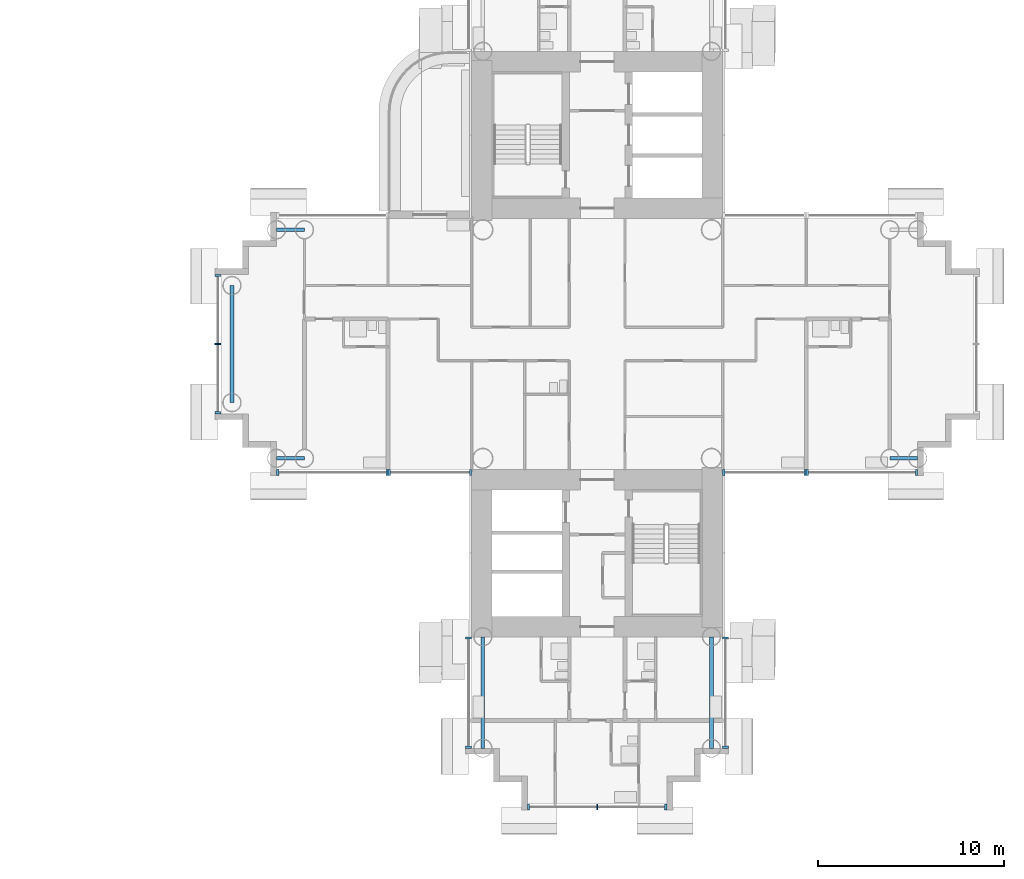
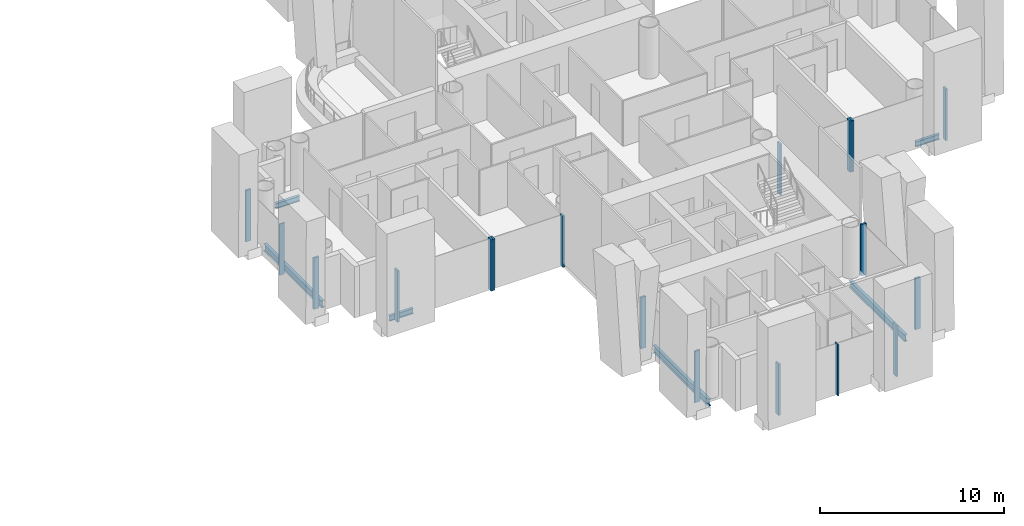
# One storey, part 6 of 23: 18 members, 6 beams, 8 elements without a shape of their own.
"""IFC4 building model written with IfcOpenShell, lengths in metres."""

from ifc_helpers import new_model, si_unit, direction, frame, origin, origin_2d, place, context, subcontext, project, spatial, rectangle, i_section, extrude, material, layer, layer_set, material_profile, profile_set, type_object, element, aggregate, save


model = new_model("IFC4")

# Units and contexts
model_context = context("Model", 3, precision=1e-05, world=origin(), true_north=direction((0.0, 1.0)))
body_context = subcontext(model_context, "Body", "Model", "MODEL_VIEW")
ifc_project = project(units=[si_unit("LENGTHUNIT", "METRE"), si_unit("AREAUNIT", "SQUARE_METRE"), si_unit("VOLUMEUNIT", "CUBIC_METRE"), si_unit("PLANEANGLEUNIT", "RADIAN"), si_unit("MASSUNIT", "GRAM", prefix="KILO")], contexts=[model_context])

# Site, building, storey
site_placement = place(None, origin())
site = spatial("IfcSite", under=ifc_project, at=site_placement, CompositionType="ELEMENT")
building_placement = place(site_placement, origin())
building = spatial("IfcBuilding", under=site, at=building_placement, Name="Ipe Terrace Towers", CompositionType="ELEMENT")
storey_placement = place(building_placement, frame((0.0, 0.0, 44.89990234375)))
storey = spatial("IfcBuildingStorey", under=building, at=storey_placement, Name="L11", CompositionType="ELEMENT", Elevation=44.89990234375)

# Beams
ifc_material_1 = material(Name="Steel S355", Category="steel")
ifc_material_profile_1 = material_profile(ifc_material_1, i_section(OverallWidth=0.175048828125, OverallDepth=0.35009765625, WebThickness=0.007080078125, FlangeThickness=0.010986328125, at=origin_2d()), Name="H-350x175x7x11")
ifc_profile_set_1 = profile_set([ifc_material_profile_1], Name="Steel S355")
beam_type_1 = type_object("IfcBeamType", Name="H04 EDGE BEAM H-350x175x7x11", PredefinedType="BEAM", material=ifc_profile_set_1)
for number, where, z_axis, x_axis, name in (
    (1, (20.25, 6.14990234375, -0.574951171875), (-1.0, 0.0, 0.0), (0.0, -1.0, 0.0), "Edge beam T2-EB-B03-B05"),
    (2, (20.25, -6.14990234375, -0.574951171875), (-1.0, 0.0, 0.0), (0.0, -1.0, 0.0), "Edge beam T2-EB-B04-B06"),
    (3, (51.75, -6.14990234375, -0.574951171875), (1.0, 0.0, 0.0), (0.0, 1.0, 0.0), "Edge beam T2-EB-D03-D05"),
):
    element("IfcBeam", number, at=place(storey_placement, frame(where, z_axis=z_axis, x_axis=x_axis)), inside=storey, type_object=beam_type_1, Name=name, PredefinedType="BEAM", context=body_context, shape_type="SweptSolid", body=[
        extrude(i_section(OverallWidth=0.175048828125, OverallDepth=0.35009765625, WebThickness=0.007080078125, FlangeThickness=0.010986328125, at=origin_2d()), origin(), (0.0, 0.0, 1.0), 1.5),
    ])
ifc_material_2 = material(Name="Steel S355", Category="steel")
ifc_material_profile_2 = material_profile(ifc_material_2, i_section(OverallWidth=0.199951171875, OverallDepth=0.449951171875, WebThickness=0.009033203125, FlangeThickness=0.013916015625, at=origin_2d()), Name="H-450x200x9x14")
ifc_profile_set_2 = profile_set([ifc_material_profile_2], Name="Steel S355")
beam_type_2 = type_object("IfcBeamType", Name="H08 EDGE BEAM H-450x200x9x14", PredefinedType="BEAM", material=ifc_profile_set_2)
beam_placement = place(storey_placement, frame((16.35009765625, 3.14990234375, -0.625), z_axis=(0.0, -1.0, 0.0), x_axis=(1.0, 0.0, 0.0)))
element("IfcBeam", 4, at=beam_placement, inside=storey, type_object=beam_type_2, Name="Edge beam T2-EB-B07-B08", PredefinedType="BEAM", context=body_context, shape_type="SweptSolid", body=[
    extrude(i_section(OverallWidth=0.199951171875, OverallDepth=0.449951171875, WebThickness=0.009033203125, FlangeThickness=0.013916015625, at=origin_2d()), origin(), (0.0, 0.0, 1.0), 6.2998046875),
])
for number, where, z_axis, x_axis, name in (
    (5, (42.14990234375, -15.75, -0.625), (0.0, -1.0, 0.0), (1.0, 0.0, 0.0), "Edge beam T2-EB-C01-C03"),
    (6, (29.85009765625, -15.75, -0.625), (0.0, -1.0, 0.0), (1.0, 0.0, 0.0), "Edge beam T2-EB-C02-C04"),
):
    element("IfcBeam", number, at=place(storey_placement, frame(where, z_axis=z_axis, x_axis=x_axis)), inside=storey, type_object=beam_type_2, Name=name, PredefinedType="BEAM", context=body_context, shape_type="SweptSolid", body=[
        extrude(i_section(OverallWidth=0.199951171875, OverallDepth=0.449951171875, WebThickness=0.009033203125, FlangeThickness=0.013916015625, at=origin_2d()), origin(), (0.0, 0.0, 1.0), 6.0),
    ])

# Curtain wall, members
ifc_material_3 = material(Name="Aluminium alloy 6063-T6", Category="aluminium")
ifc_layer = layer(ifc_material_3, 0.320068359375)
ifc_layer_set = layer_set([ifc_layer], Name="TOWER UNITISED CURTAIN WALL")
curtain_wall_type = type_object("IfcCurtainWallType", Name="TOWER UNITISED CURTAIN WALL", PredefinedType="NOTDEFINED", material=ifc_layer_set)
curtain_wall_1_placement = place(storey_placement, origin())
curtain_wall_1 = element("IfcCurtainWall", 7, at=curtain_wall_1_placement, inside=storey, type_object=curtain_wall_type, Name="T2-CW-L11-04a curtain wall", PredefinedType="NOTDEFINED")
ifc_material_4 = material(Name="Aluminium alloy 6063-T6", Category="aluminium")
ifc_material_profile_3 = material_profile(ifc_material_4, rectangle(XDim=0.320068359375, YDim=0.1201171875, at=origin_2d()), Name="TOWER UNITISED CORNER MULLION 320 x 120")
ifc_profile_set_3 = profile_set([ifc_material_profile_3], Name="Aluminium alloy 6063-T6")
member_type_1 = type_object("IfcMemberType", Name="TOWER UNITISED CORNER MULLION 320 x 120", PredefinedType="MULLION", material=ifc_profile_set_3)
member_1_placement = place(storey_placement, frame((42.909912109375, -21.68994140625, -0.2998046875), z_axis=(0.0, 0.0, 1.0), x_axis=(1.0, 0.0, 0.0)))
member_1 = element("IfcMember", 8, at=member_1_placement, type_object=member_type_1, Name="T2-CW-L11-04a mullion 1", PredefinedType="MULLION", context=body_context, shape_type="SweptSolid", body=[
    extrude(rectangle(XDim=0.320068359375, YDim=0.1201171875, at=origin_2d()), origin(), (0.0, 0.0, 1.0), 3.39990234375),
])
member_2_placement = place(storey_placement, frame((42.909912109375, -15.81103515625, -0.2998046875), z_axis=(0.0, 0.0, 1.0), x_axis=(1.0, 0.0, 0.0)))
member_2 = element("IfcMember", 9, at=member_2_placement, type_object=member_type_1, Name="T2-CW-L11-04a mullion 2", PredefinedType="MULLION", context=body_context, shape_type="SweptSolid", body=[
    extrude(rectangle(XDim=0.320068359375, YDim=0.1201171875, at=origin_2d()), origin(), (0.0, 0.0, 1.0), 3.39990234375),
])
aggregate(curtain_wall_1, [member_1, member_2])

curtain_wall_2_placement = place(storey_placement, origin())
curtain_wall_2 = element("IfcCurtainWall", 10, at=curtain_wall_2_placement, inside=storey, type_object=curtain_wall_type, Name="T2-CW-L11-06a curtain wall", PredefinedType="NOTDEFINED")
member_3_placement = place(storey_placement, frame((42.81005859375, -6.909912109375, -0.2998046875), z_axis=(0.0, 0.0, 1.0), x_axis=(0.0, -1.0, 0.0)))
member_3 = element("IfcMember", 11, at=member_3_placement, type_object=member_type_1, Name="T2-CW-L11-06a mullion 1", PredefinedType="MULLION", context=body_context, shape_type="SweptSolid", body=[
    extrude(rectangle(XDim=0.320068359375, YDim=0.1201171875, at=origin_2d()), origin(), (0.0, 0.0, 1.0), 3.39990234375),
])
member_4_placement = place(storey_placement, frame((47.18994140625, -6.909912109375, -0.2998046875), z_axis=(0.0, 0.0, 1.0), x_axis=(0.0, -1.0, 0.0)))
member_4 = element("IfcMember", 12, at=member_4_placement, type_object=member_type_1, Name="T2-CW-L11-06a mullion 2", PredefinedType="MULLION", context=body_context, shape_type="SweptSolid", body=[
    extrude(rectangle(XDim=0.320068359375, YDim=0.1201171875, at=origin_2d()), origin(), (0.0, 0.0, 1.0), 3.39990234375),
])
aggregate(curtain_wall_2, [member_3, member_4])

curtain_wall_3_placement = place(storey_placement, origin())
curtain_wall_3 = element("IfcCurtainWall", 13, at=curtain_wall_3_placement, inside=storey, type_object=curtain_wall_type, Name="T2-CW-L11-07a curtain wall", PredefinedType="NOTDEFINED")
member_5_placement = place(storey_placement, frame((47.31005859375, -6.909912109375, -0.2998046875), z_axis=(0.0, 0.0, 1.0), x_axis=(0.0, -1.0, 0.0)))
member_5 = element("IfcMember", 14, at=member_5_placement, type_object=member_type_1, Name="T2-CW-L11-07a mullion 1", PredefinedType="MULLION", context=body_context, shape_type="SweptSolid", body=[
    extrude(rectangle(XDim=0.320068359375, YDim=0.1201171875, at=origin_2d()), origin(), (0.0, 0.0, 1.0), 3.39990234375),
])
member_6_placement = place(storey_placement, frame((53.18994140625, -6.909912109375, -0.2998046875), z_axis=(0.0, 0.0, 1.0), x_axis=(0.0, -1.0, 0.0)))
member_6 = element("IfcMember", 15, at=member_6_placement, type_object=member_type_1, Name="T2-CW-L11-07a mullion 2", PredefinedType="MULLION", context=body_context, shape_type="SweptSolid", body=[
    extrude(rectangle(XDim=0.320068359375, YDim=0.1201171875, at=origin_2d()), origin(), (0.0, 0.0, 1.0), 3.39990234375),
])
aggregate(curtain_wall_3, [member_5, member_6])

curtain_wall_4_placement = place(storey_placement, origin())
curtain_wall_4 = element("IfcCurtainWall", 16, at=curtain_wall_4_placement, inside=storey, type_object=curtain_wall_type, Name="T2-CW-L11-38a curtain wall", PredefinedType="NOTDEFINED")
member_7_placement = place(storey_placement, frame((15.590087890625, 3.68994140625, -0.2998046875), z_axis=(0.0, 0.0, 1.0), x_axis=(-1.0, 0.0, 0.0)))
member_7 = element("IfcMember", 17, at=member_7_placement, type_object=member_type_1, Name="T2-CW-L11-38a mullion 1", PredefinedType="MULLION", context=body_context, shape_type="SweptSolid", body=[
    extrude(rectangle(XDim=0.320068359375, YDim=0.1201171875, at=origin_2d()), origin(), (0.0, 0.0, 1.0), 3.39990234375),
])
member_8_placement = place(storey_placement, frame((15.590087890625, -3.68994140625, -0.2998046875), z_axis=(0.0, 0.0, 1.0), x_axis=(-1.0, 0.0, 0.0)))
member_8 = element("IfcMember", 18, at=member_8_placement, type_object=member_type_1, Name="T2-CW-L11-38a mullion 3", PredefinedType="MULLION", context=body_context, shape_type="SweptSolid", body=[
    extrude(rectangle(XDim=0.320068359375, YDim=0.1201171875, at=origin_2d()), origin(), (0.0, 0.0, 1.0), 3.39990234375),
])

curtain_wall_5_placement = place(storey_placement, origin())
curtain_wall_5 = element("IfcCurtainWall", 19, at=curtain_wall_5_placement, inside=storey, type_object=curtain_wall_type, Name="T2-CW-L11-43a curtain wall", PredefinedType="NOTDEFINED")
member_9_placement = place(storey_placement, frame((18.81005859375, -6.909912109375, -0.2998046875), z_axis=(0.0, 0.0, 1.0), x_axis=(0.0, -1.0, 0.0)))
member_9 = element("IfcMember", 20, at=member_9_placement, type_object=member_type_1, Name="T2-CW-L11-43a mullion 1", PredefinedType="MULLION", context=body_context, shape_type="SweptSolid", body=[
    extrude(rectangle(XDim=0.320068359375, YDim=0.1201171875, at=origin_2d()), origin(), (0.0, 0.0, 1.0), 3.39990234375),
])
member_10_placement = place(storey_placement, frame((24.68994140625, -6.909912109375, -0.2998046875), z_axis=(0.0, 0.0, 1.0), x_axis=(0.0, -1.0, 0.0)))
member_10 = element("IfcMember", 21, at=member_10_placement, type_object=member_type_1, Name="T2-CW-L11-43a mullion 2", PredefinedType="MULLION", context=body_context, shape_type="SweptSolid", body=[
    extrude(rectangle(XDim=0.320068359375, YDim=0.1201171875, at=origin_2d()), origin(), (0.0, 0.0, 1.0), 3.39990234375),
])
aggregate(curtain_wall_5, [member_9, member_10])

curtain_wall_6_placement = place(storey_placement, origin())
curtain_wall_6 = element("IfcCurtainWall", 22, at=curtain_wall_6_placement, inside=storey, type_object=curtain_wall_type, Name="T2-CW-L11-44a curtain wall", PredefinedType="NOTDEFINED")
member_11_placement = place(storey_placement, frame((24.81005859375, -6.909912109375, -0.2998046875), z_axis=(0.0, 0.0, 1.0), x_axis=(0.0, -1.0, 0.0)))
member_11 = element("IfcMember", 23, at=member_11_placement, type_object=member_type_1, Name="T2-CW-L11-44a mullion 1", PredefinedType="MULLION", context=body_context, shape_type="SweptSolid", body=[
    extrude(rectangle(XDim=0.320068359375, YDim=0.1201171875, at=origin_2d()), origin(), (0.0, 0.0, 1.0), 3.39990234375),
])
member_12_placement = place(storey_placement, frame((29.18994140625, -6.909912109375, -0.2998046875), z_axis=(0.0, 0.0, 1.0), x_axis=(0.0, -1.0, 0.0)))
member_12 = element("IfcMember", 24, at=member_12_placement, type_object=member_type_1, Name="T2-CW-L11-44a mullion 2", PredefinedType="MULLION", context=body_context, shape_type="SweptSolid", body=[
    extrude(rectangle(XDim=0.320068359375, YDim=0.1201171875, at=origin_2d()), origin(), (0.0, 0.0, 1.0), 3.39990234375),
])
aggregate(curtain_wall_6, [member_11, member_12])

curtain_wall_7_placement = place(storey_placement, origin())
curtain_wall_7 = element("IfcCurtainWall", 25, at=curtain_wall_7_placement, inside=storey, type_object=curtain_wall_type, Name="T2-CW-L11-46b curtain wall", PredefinedType="NOTDEFINED")
member_13_placement = place(storey_placement, frame((29.090087890625, -15.81103515625, -0.2998046875), z_axis=(0.0, 0.0, 1.0), x_axis=(-1.0, 0.0, 0.0)))
member_13 = element("IfcMember", 26, at=member_13_placement, type_object=member_type_1, Name="T2-CW-L11-46b mullion 1", PredefinedType="MULLION", context=body_context, shape_type="SweptSolid", body=[
    extrude(rectangle(XDim=0.320068359375, YDim=0.1201171875, at=origin_2d()), origin(), (0.0, 0.0, 1.0), 3.39990234375),
])
member_14_placement = place(storey_placement, frame((29.090087890625, -21.68994140625, -0.2998046875), z_axis=(0.0, 0.0, 1.0), x_axis=(-1.0, 0.0, 0.0)))
member_14 = element("IfcMember", 27, at=member_14_placement, type_object=member_type_1, Name="T2-CW-L11-46b mullion 2", PredefinedType="MULLION", context=body_context, shape_type="SweptSolid", body=[
    extrude(rectangle(XDim=0.320068359375, YDim=0.1201171875, at=origin_2d()), origin(), (0.0, 0.0, 1.0), 3.39990234375),
])
aggregate(curtain_wall_7, [member_13, member_14])

curtain_wall_8_placement = place(storey_placement, origin())
curtain_wall_8 = element("IfcCurtainWall", 28, at=curtain_wall_8_placement, inside=storey, type_object=curtain_wall_type, Name="T2-CW-L11-51a curtain wall", PredefinedType="NOTDEFINED")
member_15_placement = place(storey_placement, frame((32.31005859375, -24.909912109375, -0.2998046875), z_axis=(0.0, 0.0, 1.0), x_axis=(0.0, -1.0, 0.0)))
member_15 = element("IfcMember", 29, at=member_15_placement, type_object=member_type_1, Name="T2-CW-L11-51a mullion 1", PredefinedType="MULLION", context=body_context, shape_type="SweptSolid", body=[
    extrude(rectangle(XDim=0.320068359375, YDim=0.1201171875, at=origin_2d()), origin(), (0.0, 0.0, 1.0), 3.39990234375),
])
member_16_placement = place(storey_placement, frame((39.68994140625, -24.909912109375, -0.2998046875), z_axis=(0.0, 0.0, 1.0), x_axis=(0.0, -1.0, 0.0)))
member_16 = element("IfcMember", 30, at=member_16_placement, type_object=member_type_1, Name="T2-CW-L11-51a mullion 3", PredefinedType="MULLION", context=body_context, shape_type="SweptSolid", body=[
    extrude(rectangle(XDim=0.320068359375, YDim=0.1201171875, at=origin_2d()), origin(), (0.0, 0.0, 1.0), 3.39990234375),
])

# Member
ifc_material_5 = material(Name="Aluminium alloy 6063-T6", Category="aluminium")
ifc_material_profile_4 = material_profile(ifc_material_5, rectangle(XDim=0.320068359375, YDim=0.06494140625, at=origin_2d()), Name="TOWER UNITISED MULLION 320 x 65")
ifc_profile_set_4 = profile_set([ifc_material_profile_4], Name="Aluminium alloy 6063-T6")
member_type_2 = type_object("IfcMemberType", Name="TOWER UNITISED MULLION 320 x 65", PredefinedType="MULLION", material=ifc_profile_set_4)
member_17_placement = place(storey_placement, frame((15.590087890625, 0.0, -0.2998046875), z_axis=(0.0, 0.0, 1.0), x_axis=(-1.0, 0.0, 0.0)))
member_17 = element("IfcMember", 31, at=member_17_placement, type_object=member_type_2, Name="T2-CW-L11-38a mullion 2", PredefinedType="MULLION", context=body_context, shape_type="SweptSolid", body=[
    extrude(rectangle(XDim=0.320068359375, YDim=0.06494140625, at=origin_2d()), origin(), (0.0, 0.0, 1.0), 3.39990234375),
])

aggregate(curtain_wall_4, [member_7, member_17, member_8])

member_18_placement = place(storey_placement, frame((36.0, -24.909912109375, -0.2998046875), z_axis=(0.0, 0.0, 1.0), x_axis=(0.0, -1.0, 0.0)))
member_18 = element("IfcMember", 32, at=member_18_placement, type_object=member_type_2, Name="T2-CW-L11-51a mullion 2", PredefinedType="MULLION", context=body_context, shape_type="SweptSolid", body=[
    extrude(rectangle(XDim=0.320068359375, YDim=0.06494140625, at=origin_2d()), origin(), (0.0, 0.0, 1.0), 3.39990234375),
])

aggregate(curtain_wall_8, [member_15, member_18, member_16])

save(model, "model.ifc")
